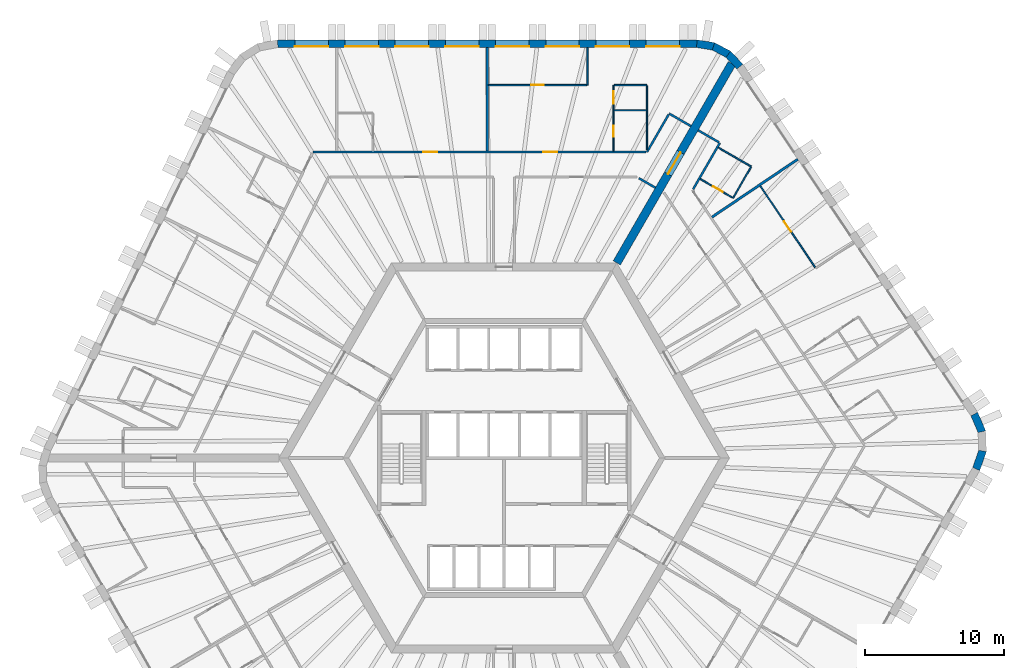
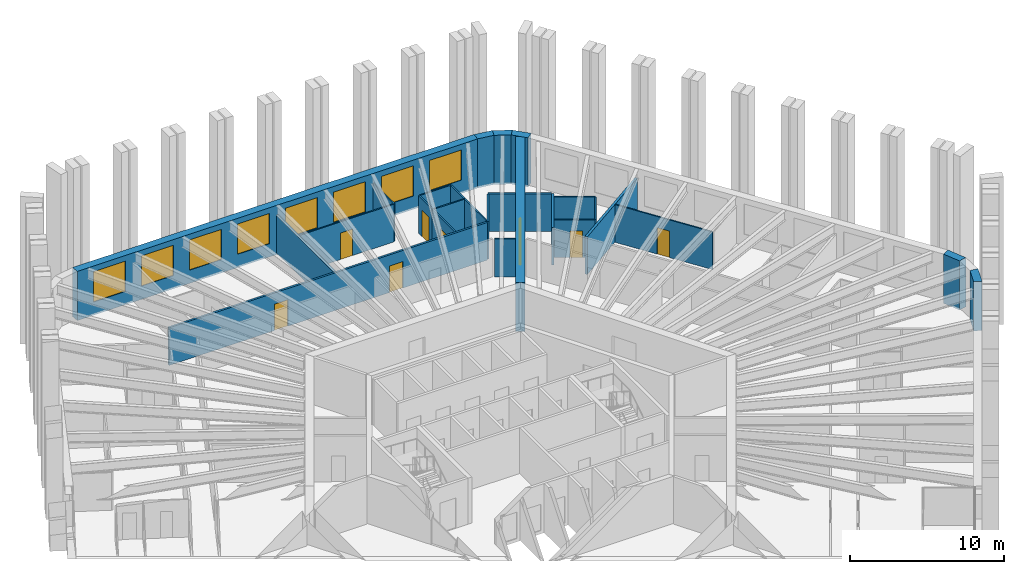
# One storey, part 10 of 13: 27 walls, 8 doors, 8 windows, 16 openings.
"""IFC4 building model written with IfcOpenShell, lengths in metres."""

from ifc_helpers import new_model, si_unit, direction, frame, frame_2d, origin, place, context, subcontext, project, spatial, polyline, rectangle, outline, extrude, material, layer, layer_set, type_object, element, fill, save


model = new_model("IFC4")

# Units and contexts
model_context = context("Model", 3, precision=1e-05, world=origin(), true_north=direction((0.0, 1.0)))
body_context = subcontext(model_context, "Body", "Model", "MODEL_VIEW")
ifc_project = project(units=[si_unit("LENGTHUNIT", "METRE"), si_unit("AREAUNIT", "SQUARE_METRE"), si_unit("VOLUMEUNIT", "CUBIC_METRE"), si_unit("PLANEANGLEUNIT", "RADIAN"), si_unit("MASSUNIT", "GRAM", prefix="KILO")], contexts=[model_context])

# Site, building, storey
site_placement = place(None, origin())
site = spatial("IfcSite", under=ifc_project, at=site_placement, CompositionType="ELEMENT")
building_placement = place(site_placement, origin())
building = spatial("IfcBuilding", under=site, at=building_placement, Name="Tarnside Tower", CompositionType="ELEMENT")
storey_placement = place(building_placement, frame((0.0, 0.0, 68.699951171875)))
storey = spatial("IfcBuildingStorey", under=building, at=storey_placement, Name="L14", CompositionType="ELEMENT", Elevation=68.699951171875)

# Wall, opening, door
ifc_material_1 = material(Name="Gypsum board partition on steel studs", Category="steel")
ifc_layer_1 = layer(ifc_material_1, 0.10009765625)
ifc_layer_set_1 = layer_set([ifc_layer_1], Name="Bathroom wall 100")
wall_type_1 = type_object("IfcWallType", Name="Bathroom wall 100", PredefinedType="PARTITIONING", material=ifc_layer_set_1)
wall_1_placement = place(storey_placement, frame((7.847900390625, 22.02490234375, 0.0), z_axis=(0.0, 0.0, 1.0), x_axis=(0.0, 1.0, 0.0)))
wall_1 = element("IfcWall", 1, at=wall_1_placement, inside=storey, type_object=wall_type_1, Name="Bathroom wall 04076", PredefinedType="PARTITIONING", context=body_context, shape_type="SweptSolid", body=[
    extrude(rectangle(XDim=2.925048828125, YDim=0.10009765625, at=frame_2d((1.46240234375, 0.0))), origin(), (0.0, 0.0, 1.0), 2.98779296875),
])
opening_1_placement = place(wall_1_placement, frame((1.02490234375, 0.0, 0.0)))
opening_1 = element("IfcOpeningElement", 2, at=opening_1_placement, cuts=wall_1, Name="Opening D-B1", PredefinedType="OPENING", context=body_context, shape_type="SweptSolid", body=[
    extrude(rectangle(XDim=0.800048828125, YDim=2.10009765625, at=frame_2d((0.39990234375, 1.050048828125))), frame((0.0, 0.06005859375, 0.0), z_axis=(0.0, -1.0, 0.0), x_axis=(1.0, 0.0, 0.0)), (0.0, 0.0, 1.0), 0.1201171875),
])
ifc_material_2 = material(Name="Timber door leaf", Category="wood")
door_type_1 = type_object("IfcDoorType", Name="Bathroom door 800", OperationType="NOTDEFINED", PredefinedType="DOOR", material=ifc_material_2)
door_1_placement = place(opening_1_placement, origin())
door_1 = element("IfcDoor", 3, at=door_1_placement, inside=storey, type_object=door_type_1, Name="Bathroom door 04002", OperationType="SINGLE_SWING_RIGHT", OverallHeight=2.10009765625, OverallWidth=0.800048828125, PredefinedType="DOOR", context=body_context, shape_type="SweptSolid", body=[
    extrude(rectangle(XDim=0.800048828125, YDim=2.10009765625, at=frame_2d((0.39990234375, 1.050048828125))), frame((0.0, 0.02490234375, 0.0), z_axis=(0.0, -1.0, 0.0), x_axis=(1.0, 0.0, 0.0)), (0.0, 0.0, 1.0), 0.050048828125),
])
fill(opening_1, door_1)

# Walls
wall_2_placement = place(storey_placement, frame((10.248046875, 24.949951171875, 0.0), z_axis=(0.0, 0.0, 1.0), x_axis=(0.0, -1.0, 0.0)))
element("IfcWall", 4, at=wall_2_placement, inside=storey, type_object=wall_type_1, Name="Bathroom wall 04077", PredefinedType="PARTITIONING", context=body_context, shape_type="SweptSolid", body=[
    extrude(rectangle(XDim=2.849853515625, YDim=0.10009765625, at=frame_2d((1.4248046875, 0.0))), origin(), (0.0, 0.0, 1.0), 2.98779296875),
])
wall_3_placement = place(storey_placement, frame((10.197998046875, 24.949951171875, 0.0), z_axis=(0.0, 0.0, 1.0), x_axis=(-1.0, 0.0, 0.0)))
element("IfcWall", 5, at=wall_3_placement, inside=storey, type_object=wall_type_1, Name="Bathroom wall 04084", PredefinedType="PARTITIONING", context=body_context, shape_type="SweptSolid", body=[
    extrude(rectangle(XDim=2.300048828125, YDim=0.10009765625, at=frame_2d((1.14990234375, 0.0))), origin(), (0.0, 0.0, 1.0), 2.98779296875),
])
wall_4_placement = place(storey_placement, frame((15.36865234375, 22.26953125, 0.0), z_axis=(0.0, 0.0, 1.0), x_axis=(0.866034909742, -0.499983534837, 0.0)))
element("IfcWall", 6, at=wall_4_placement, inside=storey, type_object=wall_type_1, Name="Bathroom wall 04151", PredefinedType="PARTITIONING", context=body_context, shape_type="SweptSolid", body=[
    extrude(rectangle(XDim=2.72509765625, YDim=0.10009765625, at=frame_2d((1.362548828125, 0.0))), origin(), (0.0, 0.0, 1.0), 2.98779296875),
])
wall_5_placement = place(storey_placement, frame((17.70361328125, 20.86376953125, 0.0), z_axis=(0.0, 0.0, 1.0), x_axis=(-0.499948979701, -0.866054858364, 0.0)))
element("IfcWall", 7, at=wall_5_placement, inside=storey, type_object=wall_type_1, Name="Bathroom wall 04152", PredefinedType="PARTITIONING", context=body_context, shape_type="SweptSolid", body=[
    extrude(rectangle(XDim=2.550048828125, YDim=0.10009765625, at=frame_2d((1.27490234375, 0.0))), origin(), (0.0, 0.0, 1.0), 2.98779296875),
])

# Wall, opening, door
wall_6_placement = place(storey_placement, frame((16.385498046875, 18.680419921875, 0.0), z_axis=(0.0, 0.0, 1.0), x_axis=(-0.86604424267, 0.499967368674, 0.0)))
wall_6 = element("IfcWall", 8, at=wall_6_placement, inside=storey, type_object=wall_type_1, Name="Bathroom wall 04153", PredefinedType="PARTITIONING", context=body_context, shape_type="SweptSolid", body=[
    extrude(rectangle(XDim=2.675048828125, YDim=0.10009765625, at=frame_2d((1.33740234375, 0.0))), origin(), (0.0, 0.0, 1.0), 2.98779296875),
])
opening_2_placement = place(wall_6_placement, frame((0.81005859375, 0.0, 0.0)))
opening_2 = element("IfcOpeningElement", 9, at=opening_2_placement, cuts=wall_6, Name="Opening D-B1", PredefinedType="OPENING", context=body_context, shape_type="SweptSolid", body=[
    extrude(rectangle(XDim=0.800048828125, YDim=2.10009765625, at=frame_2d((0.39990234375, 1.050048828125))), frame((0.0, 0.06005859375, 0.0), z_axis=(0.0, -1.0, 0.0), x_axis=(1.0, 0.0, 0.0)), (0.0, 0.0, 1.0), 0.1201171875),
])
door_2_placement = place(opening_2_placement, origin())
door_2 = element("IfcDoor", 10, at=door_2_placement, inside=storey, type_object=door_type_1, Name="Bathroom door 04040", OperationType="SINGLE_SWING_RIGHT", OverallHeight=2.10009765625, OverallWidth=0.800048828125, PredefinedType="DOOR", context=body_context, shape_type="SweptSolid", body=[
    extrude(rectangle(XDim=0.800048828125, YDim=2.10009765625, at=frame_2d((0.39990234375, 1.050048828125))), frame((0.0, 0.02490234375, 0.0), z_axis=(0.0, -1.0, 0.0), x_axis=(1.0, 0.0, 0.0)), (0.0, 0.0, 1.0), 0.050048828125),
])
fill(opening_2, door_2)

ifc_material_3 = material(Name="Concrete C80/95", Category="concrete")
ifc_layer_2 = layer(ifc_material_3, 0.60009765625)
ifc_layer_set_2 = layer_set([ifc_layer_2], Name="Core wall Z1 600 C80/95")
wall_type_2 = type_object("IfcWallType", Name="Core wall Z1 600 C80/95", PredefinedType="SHEAR", material=ifc_layer_set_2)
wall_7_placement = place(storey_placement, frame((8.0830078125, 14.0, -0.14990234375), z_axis=(0.0, 0.0, 1.0), x_axis=(0.499997680643, 0.866026742862, 0.0)))
wall_7 = element("IfcWall", 11, at=wall_7_placement, inside=storey, type_object=wall_type_2, Name="L14 spine wall 1", PredefinedType="SHEAR", context=body_context, shape_type="SweptSolid", body=[
    extrude(rectangle(XDim=16.5087890625, YDim=0.60009765625, at=frame_2d((8.25439453125, 0.0))), origin(), (0.0, 0.0, 1.0), 3.89990234375),
])
opening_3_placement = place(wall_7_placement, frame((7.3544921875, 0.0, 0.14990234375)))
opening_3 = element("IfcOpeningElement", 12, at=opening_3_placement, cuts=wall_7, Name="Opening CD-SPN", PredefinedType="OPENING", context=body_context, shape_type="SweptSolid", body=[
    extrude(rectangle(XDim=1.800048828125, YDim=2.39990234375, at=frame_2d((0.89990234375, 1.199951171875))), frame((0.0, 0.31005859375, 0.0), z_axis=(0.0, -1.0, 0.0), x_axis=(1.0, 0.0, 0.0)), (0.0, 0.0, 1.0), 0.6201171875),
])
ifc_material_4 = material(Name="Steel fire door", Category="steel")
door_type_2 = type_object("IfcDoorType", Name="Spine passage double door FD60 1800x2400", OperationType="NOTDEFINED", PredefinedType="DOOR", material=ifc_material_4)
door_3_placement = place(opening_3_placement, origin())
door_3 = element("IfcDoor", 13, at=door_3_placement, inside=storey, type_object=door_type_2, Name="L14 spine passage door 1", OperationType="DOUBLE_DOOR_SINGLE_SWING", OverallHeight=2.39990234375, OverallWidth=1.800048828125, PredefinedType="DOOR", context=body_context, shape_type="SweptSolid", body=[
    extrude(rectangle(XDim=1.800048828125, YDim=2.39990234375, at=frame_2d((0.89990234375, 1.199951171875))), frame((0.0, 0.02490234375, 0.0), z_axis=(0.0, -1.0, 0.0), x_axis=(1.0, 0.0, 0.0)), (0.0, 0.0, 1.0), 0.050048828125),
])
fill(opening_3, door_3)

# Wall, openings, doors
ifc_layer_3 = layer(ifc_material_1, 0.14990234375)
ifc_layer_set_3 = layer_set([ifc_layer_3], Name="Corridor wall 150 EI 60")
wall_type_3 = type_object("IfcWallType", Name="Corridor wall 150 EI 60", PredefinedType="PARTITIONING", material=ifc_layer_set_3)
wall_8_placement = place(storey_placement, frame((10.161376953125, 21.949951171875, 0.0), z_axis=(0.0, 0.0, 1.0), x_axis=(-1.0, 0.0, 0.0)))
wall_8 = element("IfcWall", 14, at=wall_8_placement, inside=storey, type_object=wall_type_3, Name="Corridor wall 04001", PredefinedType="PARTITIONING", context=body_context, shape_type="SweptSolid", body=[
    extrude(rectangle(XDim=23.877197265625, YDim=0.14990234375, at=frame_2d((11.9384765625, 0.0))), origin(), (0.0, 0.0, 1.0), 2.98779296875),
])
opening_4_placement = place(wall_8_placement, frame((6.343017578125, 0.0, 0.0)))
opening_4 = element("IfcOpeningElement", 15, at=opening_4_placement, cuts=wall_8, Name="Opening D-E1", PredefinedType="OPENING", context=body_context, shape_type="SweptSolid", body=[
    extrude(rectangle(XDim=1.0, YDim=2.10009765625, at=frame_2d((0.5, 1.050048828125))), frame((0.0, 0.0849609375, 0.0), z_axis=(0.0, -1.0, 0.0), x_axis=(1.0, 0.0, 0.0)), (0.0, 0.0, 1.0), 0.169921875),
])
opening_5_placement = place(wall_8_placement, frame((14.972412109375, 0.0, 0.0)))
opening_5 = element("IfcOpeningElement", 16, at=opening_5_placement, cuts=wall_8, Name="Opening D-E1", PredefinedType="OPENING", context=body_context, shape_type="SweptSolid", body=[
    extrude(rectangle(XDim=1.0, YDim=2.10009765625, at=frame_2d((0.5, 1.050048828125))), frame((0.0, 0.0849609375, 0.0), z_axis=(0.0, -1.0, 0.0), x_axis=(1.0, 0.0, 0.0)), (0.0, 0.0, 1.0), 0.169921875),
])
door_type_3 = type_object("IfcDoorType", Name="Unit entrance door 1000 FD30S", OperationType="NOTDEFINED", PredefinedType="DOOR", material=ifc_material_2)
door_4_placement = place(opening_4_placement, origin())
door_4 = element("IfcDoor", 17, at=door_4_placement, inside=storey, type_object=door_type_3, Name="Unit door 04001", OperationType="SINGLE_SWING_LEFT", OverallHeight=2.10009765625, OverallWidth=1.0, PredefinedType="DOOR", context=body_context, shape_type="SweptSolid", body=[
    extrude(rectangle(XDim=1.0, YDim=2.10009765625, at=frame_2d((0.5, 1.050048828125))), frame((0.0, 0.02490234375, 0.0), z_axis=(0.0, -1.0, 0.0), x_axis=(1.0, 0.0, 0.0)), (0.0, 0.0, 1.0), 0.050048828125),
])
fill(opening_4, door_4)
door_5_placement = place(opening_5_placement, origin())
door_5 = element("IfcDoor", 18, at=door_5_placement, inside=storey, type_object=door_type_3, Name="Unit door 04005", OperationType="SINGLE_SWING_RIGHT", OverallHeight=2.10009765625, OverallWidth=1.0, PredefinedType="DOOR", context=body_context, shape_type="SweptSolid", body=[
    extrude(rectangle(XDim=1.0, YDim=2.10009765625, at=frame_2d((0.5, 1.050048828125))), frame((0.0, 0.02490234375, 0.0), z_axis=(0.0, -1.0, 0.0), x_axis=(1.0, 0.0, 0.0)), (0.0, 0.0, 1.0), 0.050048828125),
])
fill(opening_5, door_5)

# Walls
wall_9_placement = place(storey_placement, frame((13.400390625, 23.81005859375, 0.0), z_axis=(0.0, 0.0, 1.0), x_axis=(-0.865989075817, 0.500062916607, 0.0)))
element("IfcWall", 19, at=wall_9_placement, inside=storey, type_object=wall_type_3, Name="Corridor wall 04002", PredefinedType="PARTITIONING", context=body_context, shape_type="SweptSolid", body=[
    extrude(rectangle(XDim=1.800048828125, YDim=0.14990234375, at=frame_2d((0.89990234375, 0.0))), origin(), (0.0, 0.0, 1.0), 2.98779296875),
])
wall_10_placement = place(storey_placement, frame((11.803955078125, 24.64501953125, 0.0), z_axis=(0.0, 0.0, 1.0), x_axis=(-0.499978251519, -0.866037959912, 0.0)))
element("IfcWall", 20, at=wall_10_placement, inside=storey, type_object=wall_type_3, Name="Corridor wall 04003", PredefinedType="PARTITIONING", context=body_context, shape_type="SweptSolid", body=[
    extrude(rectangle(XDim=3.112060546875, YDim=0.14990234375, at=frame_2d((1.55615234375, 0.0))), origin(), (0.0, 0.0, 1.0), 2.98779296875),
])
wall_11_placement = place(storey_placement, frame((9.6669921875, 20.074951171875, 0.0), z_axis=(0.0, 0.0, 1.0), x_axis=(0.866000994684, -0.500042275419, 0.0)))
element("IfcWall", 21, at=wall_11_placement, inside=storey, type_object=wall_type_3, Name="Corridor wall 04022", PredefinedType="PARTITIONING", context=body_context, shape_type="SweptSolid", body=[
    extrude(rectangle(XDim=1.36572265625, YDim=0.14990234375, at=frame_2d((0.682861328125, 0.0))), origin(), (0.0, 0.0, 1.0), 2.98779296875),
])
wall_12_placement = place(storey_placement, frame((13.55908203125, 19.284912109375, 0.0), z_axis=(0.0, 0.0, 1.0), x_axis=(0.499975646431, 0.866039463868, 0.0)))
element("IfcWall", 22, at=wall_12_placement, inside=storey, type_object=wall_type_3, Name="Corridor wall 04062", PredefinedType="PARTITIONING", context=body_context, shape_type="SweptSolid", body=[
    extrude(rectangle(XDim=3.839599609375, YDim=0.14990234375, at=frame_2d((1.919921875, 0.0))), origin(), (0.0, 0.0, 1.0), 2.98779296875),
])
wall_13_placement = place(storey_placement, frame((15.413818359375, 22.647705078125, 0.0), z_axis=(0.0, 0.0, 1.0), x_axis=(-0.866074815912, 0.499914405916, 0.0)))
element("IfcWall", 23, at=wall_13_placement, inside=storey, type_object=wall_type_3, Name="Corridor wall 04063", PredefinedType="PARTITIONING", context=body_context, shape_type="SweptSolid", body=[
    extrude(rectangle(XDim=1.724853515625, YDim=0.14990234375, at=frame_2d((0.8623046875, 0.0))), origin(), (0.0, 0.0, 1.0), 2.98779296875),
])
ifc_layer_4 = layer(ifc_material_1, 0.179931640625)
ifc_layer_set_4 = layer_set([ifc_layer_4], Name="Demising wall 180 EI 60")
wall_type_4 = type_object("IfcWallType", Name="Demising wall 180 EI 60", PredefinedType="PARTITIONING", material=ifc_layer_set_4)
for number, where, z_axis, x_axis, name in (
    (24, (-1.2109375, 29.449951171875, 0.0), (0.0, 0.0, 1.0), (0.0, -1.0, 0.0), "Demising wall 04083"),
    (25, (21.066162109375, 21.433349609375, 0.0), (0.0, 0.0, 1.0), (-0.829028170871, -0.559206841788, 0.0), "Demising wall 04148"),
):
    element("IfcWall", number, at=place(storey_placement, frame(where, z_axis=z_axis, x_axis=x_axis)), inside=storey, type_object=wall_type_4, Name=name, PredefinedType="PARTITIONING", context=body_context, shape_type="SweptSolid", body=[
        extrude(rectangle(XDim=7.425048828125, YDim=0.179931640625, at=frame_2d((3.71240234375, 0.0))), origin(), (0.0, 0.0, 1.0), 2.98779296875),
    ])

# Wall, opening, door
ifc_layer_5 = layer(ifc_material_1, 0.10009765625)
ifc_layer_set_5 = layer_set([ifc_layer_5], Name="Partition 100")
wall_type_5 = type_object("IfcWallType", Name="Partition 100", PredefinedType="PARTITIONING", material=ifc_layer_set_5)
wall_14_placement = place(storey_placement, frame((7.847900390625, 25.0, 0.0), z_axis=(0.0, 0.0, 1.0), x_axis=(0.0, 1.0, 0.0)))
wall_14 = element("IfcWall", 26, at=wall_14_placement, inside=storey, type_object=wall_type_5, Name="Partition wall 04078", PredefinedType="PARTITIONING", context=body_context, shape_type="SweptSolid", body=[
    extrude(rectangle(XDim=1.75, YDim=0.10009765625, at=frame_2d((0.875, 0.0))), origin(), (0.0, 0.0, 1.0), 2.98779296875),
])
opening_6_placement = place(wall_14_placement, frame((0.39990234375, 0.0, 0.0)))
opening_6 = element("IfcOpeningElement", 27, at=opening_6_placement, cuts=wall_14, Name="Opening D-I1", PredefinedType="OPENING", context=body_context, shape_type="SweptSolid", body=[
    extrude(rectangle(XDim=0.89990234375, YDim=2.10009765625, at=frame_2d((0.449951171875, 1.050048828125))), frame((0.0, 0.06005859375, 0.0), z_axis=(0.0, -1.0, 0.0), x_axis=(1.0, 0.0, 0.0)), (0.0, 0.0, 1.0), 0.1201171875),
])
door_type_4 = type_object("IfcDoorType", Name="Internal door 900", OperationType="NOTDEFINED", PredefinedType="DOOR", material=ifc_material_2)
door_6_placement = place(opening_6_placement, origin())
door_6 = element("IfcDoor", 28, at=door_6_placement, inside=storey, type_object=door_type_4, Name="Internal door 04003", OperationType="SINGLE_SWING_RIGHT", OverallHeight=2.10009765625, OverallWidth=0.89990234375, PredefinedType="DOOR", context=body_context, shape_type="SweptSolid", body=[
    extrude(rectangle(XDim=0.89990234375, YDim=2.10009765625, at=frame_2d((0.449951171875, 1.050048828125))), frame((0.0, 0.02490234375, 0.0), z_axis=(0.0, -1.0, 0.0), x_axis=(1.0, 0.0, 0.0)), (0.0, 0.0, 1.0), 0.050048828125),
])
fill(opening_6, door_6)

# Walls
wall_15_placement = place(storey_placement, frame((7.89794921875, 26.75, 0.0), z_axis=(0.0, 0.0, 1.0), x_axis=(1.0, 0.0, 0.0)))
element("IfcWall", 29, at=wall_15_placement, inside=storey, type_object=wall_type_5, Name="Partition wall 04079", PredefinedType="PARTITIONING", context=body_context, shape_type="SweptSolid", body=[
    extrude(rectangle(XDim=2.35009765625, YDim=0.10009765625, at=frame_2d((1.175048828125, 0.0))), origin(), (0.0, 0.0, 1.0), 2.98779296875),
])
wall_16_placement = place(storey_placement, frame((10.248046875, 26.699951171875, 0.0), z_axis=(0.0, 0.0, 1.0), x_axis=(0.0, -1.0, 0.0)))
element("IfcWall", 30, at=wall_16_placement, inside=storey, type_object=wall_type_5, Name="Partition wall 04080", PredefinedType="PARTITIONING", context=body_context, shape_type="SweptSolid", body=[
    extrude(rectangle(XDim=1.699951171875, YDim=0.10009765625, at=frame_2d((0.85009765625, 0.0))), origin(), (0.0, 0.0, 1.0), 2.98779296875),
])
wall_17_placement = place(storey_placement, frame((5.989013671875, 29.449951171875, 0.0), z_axis=(0.0, 0.0, 1.0), x_axis=(0.0, -1.0, 0.0)))
element("IfcWall", 31, at=wall_17_placement, inside=storey, type_object=wall_type_5, Name="Partition wall 04081", PredefinedType="PARTITIONING", context=body_context, shape_type="SweptSolid", body=[
    extrude(rectangle(XDim=2.699951171875, YDim=0.10009765625, at=frame_2d((1.35009765625, 0.0))), origin(), (0.0, 0.0, 1.0), 2.98779296875),
])

# Wall, opening, door
wall_18_placement = place(storey_placement, frame((5.93896484375, 26.75, 0.0), z_axis=(0.0, 0.0, 1.0), x_axis=(-1.0, 0.0, 0.0)))
wall_18 = element("IfcWall", 32, at=wall_18_placement, inside=storey, type_object=wall_type_5, Name="Partition wall 04082", PredefinedType="PARTITIONING", context=body_context, shape_type="SweptSolid", body=[
    extrude(rectangle(XDim=7.06005859375, YDim=0.10009765625, at=frame_2d((3.530029296875, 0.0))), origin(), (0.0, 0.0, 1.0), 2.98779296875),
])
opening_7_placement = place(wall_18_placement, frame((3.10009765625, 0.0, 0.0)))
opening_7 = element("IfcOpeningElement", 33, at=opening_7_placement, cuts=wall_18, Name="Opening D-I1", PredefinedType="OPENING", context=body_context, shape_type="SweptSolid", body=[
    extrude(rectangle(XDim=0.89990234375, YDim=2.10009765625, at=frame_2d((0.449951171875, 1.050048828125))), frame((0.0, 0.06005859375, 0.0), z_axis=(0.0, -1.0, 0.0), x_axis=(1.0, 0.0, 0.0)), (0.0, 0.0, 1.0), 0.1201171875),
])
door_7_placement = place(opening_7_placement, origin())
door_7 = element("IfcDoor", 34, at=door_7_placement, inside=storey, type_object=door_type_4, Name="Internal door 04004", OperationType="SINGLE_SWING_LEFT", OverallHeight=2.10009765625, OverallWidth=0.89990234375, PredefinedType="DOOR", context=body_context, shape_type="SweptSolid", body=[
    extrude(rectangle(XDim=0.89990234375, YDim=2.10009765625, at=frame_2d((0.449951171875, 1.050048828125))), frame((0.0, 0.02490234375, 0.0), z_axis=(0.0, -1.0, 0.0), x_axis=(1.0, 0.0, 0.0)), (0.0, 0.0, 1.0), 0.050048828125),
])
fill(opening_7, door_7)

wall_19_placement = place(storey_placement, frame((22.32861328125, 13.660400390625, 0.0), z_axis=(0.0, 0.0, 1.0), x_axis=(-0.559216845309, 0.829021423078, 0.0)))
wall_19 = element("IfcWall", 35, at=wall_19_placement, inside=storey, type_object=wall_type_5, Name="Partition wall 04147", PredefinedType="PARTITIONING", context=body_context, shape_type="SweptSolid", body=[
    extrude(rectangle(XDim=7.059814453125, YDim=0.10009765625, at=frame_2d((3.52978515625, 0.0))), origin(), (0.0, 0.0, 1.0), 2.98779296875),
])
opening_8_placement = place(wall_19_placement, frame((3.10009765625, 0.0, 0.0)))
opening_8 = element("IfcOpeningElement", 36, at=opening_8_placement, cuts=wall_19, Name="Opening D-I1", PredefinedType="OPENING", context=body_context, shape_type="SweptSolid", body=[
    extrude(rectangle(XDim=0.89990234375, YDim=2.10009765625, at=frame_2d((0.449951171875, 1.050048828125))), frame((0.0, 0.06005859375, 0.0), z_axis=(0.0, -1.0, 0.0), x_axis=(1.0, 0.0, 0.0)), (0.0, 0.0, 1.0), 0.1201171875),
])
door_8_placement = place(opening_8_placement, origin())
door_8 = element("IfcDoor", 37, at=door_8_placement, inside=storey, type_object=door_type_4, Name="Internal door 04038", OperationType="SINGLE_SWING_RIGHT", OverallHeight=2.10009765625, OverallWidth=0.89990234375, PredefinedType="DOOR", context=body_context, shape_type="SweptSolid", body=[
    extrude(rectangle(XDim=0.89990234375, YDim=2.10009765625, at=frame_2d((0.449951171875, 1.050048828125))), frame((0.0, 0.02490234375, 0.0), z_axis=(0.0, -1.0, 0.0), x_axis=(1.0, 0.0, 0.0)), (0.0, 0.0, 1.0), 0.050048828125),
])
fill(opening_8, door_8)

# Wall, openings, windows
ifc_material_5 = material(Name="Facing brick", Category="masonry")
ifc_layer_6 = layer(ifc_material_5, 0.10205078125)
ifc_material_6 = material(Name="Concrete C60/75 precast", Category="concrete")
ifc_layer_7 = layer(ifc_material_6, 0.347900390625)
ifc_material_7 = material(Name="Mineral wool insulation")
ifc_layer_8 = layer(ifc_material_7, 0.10009765625)
ifc_layer_set_6 = layer_set([ifc_layer_6, ifc_layer_7, ifc_layer_8], Name="Tube wall 550 brick faced")
wall_type_6 = type_object("IfcWallType", Name="Tube wall 550 brick faced", PredefinedType="SOLIDWALL", material=ifc_layer_set_6)
wall_20_placement = place(storey_placement, frame((13.824462890625, 29.72509765625, -0.14990234375), z_axis=(0.0, 0.0, 1.0), x_axis=(-1.0, 0.0, 0.0)))
wall_20 = element("IfcWall", 38, at=wall_20_placement, inside=storey, type_object=wall_type_6, Name="Tube wall L14 F1 flush 00", PredefinedType="SOLIDWALL", context=body_context, shape_type="SweptSolid", body=[
    extrude(outline(polyline([(-0.0224609375, -0.27490234375), (30.0966796875, -0.27490234375), (30.04541015625, 0.27490234375), (0.0224609375, 0.27490234375), (-0.0224609375, -0.27490234375)])), origin(), (0.0, 0.0, 1.0), 3.89990234375),
])
opening_9_placement = place(wall_20_placement, frame((1.235595703125, 0.0, 1.050048828125)))
opening_9 = element("IfcOpeningElement", 39, at=opening_9_placement, cuts=wall_20, Name="Opening WH", PredefinedType="OPENING", context=body_context, shape_type="SweptSolid", body=[
    extrude(rectangle(XDim=2.39990234375, YDim=2.39990234375, at=frame_2d((1.199951171875, 1.199951171875))), frame((0.0, 0.28515625, 0.0), z_axis=(0.0, -1.0, 0.0), x_axis=(1.0, 0.0, 0.0)), (0.0, 0.0, 1.0), 0.570068359375),
])
opening_10_placement = place(wall_20_placement, frame((4.83544921875, 0.0, 1.050048828125)))
opening_10 = element("IfcOpeningElement", 40, at=opening_10_placement, cuts=wall_20, Name="Opening WH", PredefinedType="OPENING", context=body_context, shape_type="SweptSolid", body=[
    extrude(rectangle(XDim=2.39990234375, YDim=2.39990234375, at=frame_2d((1.199951171875, 1.199951171875))), frame((0.0, 0.28515625, 0.0), z_axis=(0.0, -1.0, 0.0), x_axis=(1.0, 0.0, 0.0)), (0.0, 0.0, 1.0), 0.570068359375),
])
opening_11_placement = place(wall_20_placement, frame((8.435546875, 0.0, 1.050048828125)))
opening_11 = element("IfcOpeningElement", 41, at=opening_11_placement, cuts=wall_20, Name="Opening WH", PredefinedType="OPENING", context=body_context, shape_type="SweptSolid", body=[
    extrude(rectangle(XDim=2.39990234375, YDim=2.39990234375, at=frame_2d((1.199951171875, 1.199951171875))), frame((0.0, 0.28515625, 0.0), z_axis=(0.0, -1.0, 0.0), x_axis=(1.0, 0.0, 0.0)), (0.0, 0.0, 1.0), 0.570068359375),
])
opening_12_placement = place(wall_20_placement, frame((12.035400390625, 0.0, 1.050048828125)))
opening_12 = element("IfcOpeningElement", 42, at=opening_12_placement, cuts=wall_20, Name="Opening WH", PredefinedType="OPENING", context=body_context, shape_type="SweptSolid", body=[
    extrude(rectangle(XDim=2.39990234375, YDim=2.39990234375, at=frame_2d((1.199951171875, 1.199951171875))), frame((0.0, 0.28515625, 0.0), z_axis=(0.0, -1.0, 0.0), x_axis=(1.0, 0.0, 0.0)), (0.0, 0.0, 1.0), 0.570068359375),
])
opening_13_placement = place(wall_20_placement, frame((15.635498046875, 0.0, 1.050048828125)))
opening_13 = element("IfcOpeningElement", 43, at=opening_13_placement, cuts=wall_20, Name="Opening WH", PredefinedType="OPENING", context=body_context, shape_type="SweptSolid", body=[
    extrude(rectangle(XDim=2.39990234375, YDim=2.39990234375, at=frame_2d((1.199951171875, 1.199951171875))), frame((0.0, 0.28515625, 0.0), z_axis=(0.0, -1.0, 0.0), x_axis=(1.0, 0.0, 0.0)), (0.0, 0.0, 1.0), 0.570068359375),
])
opening_14_placement = place(wall_20_placement, frame((19.235595703125, 0.0, 1.050048828125)))
opening_14 = element("IfcOpeningElement", 44, at=opening_14_placement, cuts=wall_20, Name="Opening WH", PredefinedType="OPENING", context=body_context, shape_type="SweptSolid", body=[
    extrude(rectangle(XDim=2.39990234375, YDim=2.39990234375, at=frame_2d((1.199951171875, 1.199951171875))), frame((0.0, 0.28515625, 0.0), z_axis=(0.0, -1.0, 0.0), x_axis=(1.0, 0.0, 0.0)), (0.0, 0.0, 1.0), 0.570068359375),
])
opening_15_placement = place(wall_20_placement, frame((22.83544921875, 0.0, 1.050048828125)))
opening_15 = element("IfcOpeningElement", 45, at=opening_15_placement, cuts=wall_20, Name="Opening WH", PredefinedType="OPENING", context=body_context, shape_type="SweptSolid", body=[
    extrude(rectangle(XDim=2.39990234375, YDim=2.39990234375, at=frame_2d((1.199951171875, 1.199951171875))), frame((0.0, 0.28515625, 0.0), z_axis=(0.0, -1.0, 0.0), x_axis=(1.0, 0.0, 0.0)), (0.0, 0.0, 1.0), 0.570068359375),
])
opening_16_placement = place(wall_20_placement, frame((26.435546875, 0.0, 1.050048828125)))
opening_16 = element("IfcOpeningElement", 46, at=opening_16_placement, cuts=wall_20, Name="Opening WH", PredefinedType="OPENING", context=body_context, shape_type="SweptSolid", body=[
    extrude(rectangle(XDim=2.39990234375, YDim=2.39990234375, at=frame_2d((1.199951171875, 1.199951171875))), frame((0.0, 0.28515625, 0.0), z_axis=(0.0, -1.0, 0.0), x_axis=(1.0, 0.0, 0.0)), (0.0, 0.0, 1.0), 0.570068359375),
])
ifc_material_8 = material(Name="Aluminium-framed double glazing", Category="aluminium")
window_type = type_object("IfcWindowType", Name="Hotel window 2400 x 2400", PartitioningType="DOUBLE_PANEL_VERTICAL", PredefinedType="WINDOW", material=ifc_material_8)
window_1_placement = place(opening_9_placement, frame((0.0, 0.205078125, 0.0)))
window_1 = element("IfcWindow", 47, at=window_1_placement, inside=storey, type_object=window_type, Name="E.WN.L14.F1.00", OverallHeight=2.39990234375, OverallWidth=2.39990234375, PartitioningType="DOUBLE_PANEL_VERTICAL", PredefinedType="WINDOW", context=body_context, shape_type="SweptSolid", body=[
    extrude(rectangle(XDim=2.39990234375, YDim=2.39990234375, at=frame_2d((1.199951171875, 1.199951171875))), frame((0.0, 0.030029296875, 0.0), z_axis=(0.0, -1.0, 0.0), x_axis=(1.0, 0.0, 0.0)), (0.0, 0.0, 1.0), 0.06005859375),
])
fill(opening_9, window_1)
window_2_placement = place(opening_10_placement, frame((0.0, 0.205078125, 0.0)))
window_2 = element("IfcWindow", 48, at=window_2_placement, inside=storey, type_object=window_type, Name="E.WN.L14.F1.01", OverallHeight=2.39990234375, OverallWidth=2.39990234375, PartitioningType="DOUBLE_PANEL_VERTICAL", PredefinedType="WINDOW", context=body_context, shape_type="SweptSolid", body=[
    extrude(rectangle(XDim=2.39990234375, YDim=2.39990234375, at=frame_2d((1.199951171875, 1.199951171875))), frame((0.0, 0.030029296875, 0.0), z_axis=(0.0, -1.0, 0.0), x_axis=(1.0, 0.0, 0.0)), (0.0, 0.0, 1.0), 0.06005859375),
])
fill(opening_10, window_2)
window_3_placement = place(opening_11_placement, frame((0.0, 0.205078125, 0.0)))
window_3 = element("IfcWindow", 49, at=window_3_placement, inside=storey, type_object=window_type, Name="E.WN.L14.F1.02", OverallHeight=2.39990234375, OverallWidth=2.39990234375, PartitioningType="DOUBLE_PANEL_VERTICAL", PredefinedType="WINDOW", context=body_context, shape_type="SweptSolid", body=[
    extrude(rectangle(XDim=2.39990234375, YDim=2.39990234375, at=frame_2d((1.199951171875, 1.199951171875))), frame((0.0, 0.030029296875, 0.0), z_axis=(0.0, -1.0, 0.0), x_axis=(1.0, 0.0, 0.0)), (0.0, 0.0, 1.0), 0.06005859375),
])
fill(opening_11, window_3)
window_4_placement = place(opening_12_placement, frame((0.0, 0.205078125, 0.0)))
window_4 = element("IfcWindow", 50, at=window_4_placement, inside=storey, type_object=window_type, Name="E.WN.L14.F1.03", OverallHeight=2.39990234375, OverallWidth=2.39990234375, PartitioningType="DOUBLE_PANEL_VERTICAL", PredefinedType="WINDOW", context=body_context, shape_type="SweptSolid", body=[
    extrude(rectangle(XDim=2.39990234375, YDim=2.39990234375, at=frame_2d((1.199951171875, 1.199951171875))), frame((0.0, 0.030029296875, 0.0), z_axis=(0.0, -1.0, 0.0), x_axis=(1.0, 0.0, 0.0)), (0.0, 0.0, 1.0), 0.06005859375),
])
fill(opening_12, window_4)
window_5_placement = place(opening_13_placement, frame((0.0, 0.205078125, 0.0)))
window_5 = element("IfcWindow", 51, at=window_5_placement, inside=storey, type_object=window_type, Name="E.WN.L14.F1.04", OverallHeight=2.39990234375, OverallWidth=2.39990234375, PartitioningType="DOUBLE_PANEL_VERTICAL", PredefinedType="WINDOW", context=body_context, shape_type="SweptSolid", body=[
    extrude(rectangle(XDim=2.39990234375, YDim=2.39990234375, at=frame_2d((1.199951171875, 1.199951171875))), frame((0.0, 0.030029296875, 0.0), z_axis=(0.0, -1.0, 0.0), x_axis=(1.0, 0.0, 0.0)), (0.0, 0.0, 1.0), 0.06005859375),
])
fill(opening_13, window_5)
window_6_placement = place(opening_14_placement, frame((0.0, 0.205078125, 0.0)))
window_6 = element("IfcWindow", 52, at=window_6_placement, inside=storey, type_object=window_type, Name="E.WN.L14.F1.05", OverallHeight=2.39990234375, OverallWidth=2.39990234375, PartitioningType="DOUBLE_PANEL_VERTICAL", PredefinedType="WINDOW", context=body_context, shape_type="SweptSolid", body=[
    extrude(rectangle(XDim=2.39990234375, YDim=2.39990234375, at=frame_2d((1.199951171875, 1.199951171875))), frame((0.0, 0.030029296875, 0.0), z_axis=(0.0, -1.0, 0.0), x_axis=(1.0, 0.0, 0.0)), (0.0, 0.0, 1.0), 0.06005859375),
])
fill(opening_14, window_6)
window_7_placement = place(opening_15_placement, frame((0.0, 0.205078125, 0.0)))
window_7 = element("IfcWindow", 53, at=window_7_placement, inside=storey, type_object=window_type, Name="E.WN.L14.F1.06", OverallHeight=2.39990234375, OverallWidth=2.39990234375, PartitioningType="DOUBLE_PANEL_VERTICAL", PredefinedType="WINDOW", context=body_context, shape_type="SweptSolid", body=[
    extrude(rectangle(XDim=2.39990234375, YDim=2.39990234375, at=frame_2d((1.199951171875, 1.199951171875))), frame((0.0, 0.030029296875, 0.0), z_axis=(0.0, -1.0, 0.0), x_axis=(1.0, 0.0, 0.0)), (0.0, 0.0, 1.0), 0.06005859375),
])
fill(opening_15, window_7)
window_8_placement = place(opening_16_placement, frame((0.0, 0.205078125, 0.0)))
window_8 = element("IfcWindow", 54, at=window_8_placement, inside=storey, type_object=window_type, Name="E.WN.L14.F1.07", OverallHeight=2.39990234375, OverallWidth=2.39990234375, PartitioningType="DOUBLE_PANEL_VERTICAL", PredefinedType="WINDOW", context=body_context, shape_type="SweptSolid", body=[
    extrude(rectangle(XDim=2.39990234375, YDim=2.39990234375, at=frame_2d((1.199951171875, 1.199951171875))), frame((0.0, 0.030029296875, 0.0), z_axis=(0.0, -1.0, 0.0), x_axis=(1.0, 0.0, 0.0)), (0.0, 0.0, 1.0), 0.06005859375),
])
fill(opening_16, window_8)

# Walls
wall_21_placement = place(storey_placement, frame((33.865966796875, -0.79248046875, -0.14990234375), z_axis=(0.0, 0.0, 1.0), x_axis=(0.33111537203, 0.943590276765, 0.0)))
element("IfcWall", 55, at=wall_21_placement, inside=storey, type_object=wall_type_6, Name="Tube wall L14 F5 chord 17", PredefinedType="SOLIDWALL", context=body_context, shape_type="SweptSolid", body=[
    extrude(outline(polyline([(-0.025634765625, -0.27490234375), (1.4306640625, -0.27490234375), (1.3271484375, 0.27490234375), (0.025634765625, 0.27490234375), (-0.025634765625, -0.27490234375)])), origin(), (0.0, 0.0, 1.0), 3.89990234375),
])
wall_22_placement = place(storey_placement, frame((34.2744140625, 1.88671875, -0.14990234375), z_axis=(0.0, 0.0, 1.0), x_axis=(-0.396161342798, 0.918180913803, 0.0)))
element("IfcWall", 56, at=wall_22_placement, inside=storey, type_object=wall_type_6, Name="Tube wall L14 F5 chord 19", PredefinedType="SOLIDWALL", context=body_context, shape_type="SweptSolid", body=[
    extrude(outline(polyline([(-0.0517578125, -0.27490234375), (1.40478515625, -0.27490234375), (1.353515625, 0.27490234375), (0.0517578125, 0.27490234375), (-0.0517578125, -0.27490234375)])), origin(), (0.0, 0.0, 1.0), 3.89990234375),
])
wall_23_placement = place(storey_placement, frame((16.91259765625, 28.0830078125, -0.14990234375), z_axis=(0.0, 0.0, 1.0), x_axis=(-0.686196220404, 0.727416488061, 0.0)))
element("IfcWall", 57, at=wall_23_placement, inside=storey, type_object=wall_type_6, Name="Tube wall L14 F6 chord 21", PredefinedType="SOLIDWALL", context=body_context, shape_type="SweptSolid", body=[
    extrude(outline(polyline([(-0.0224609375, -0.27490234375), (1.25341796875, -0.27490234375), (1.1630859375, 0.27490234375), (0.0224609375, 0.27490234375), (-0.0224609375, -0.27490234375)])), origin(), (0.0, 0.0, 1.0), 3.89990234375),
])
wall_24_placement = place(storey_placement, frame((16.08349609375, 28.9619140625, -0.14990234375), z_axis=(0.0, 0.0, 1.0), x_axis=(-0.882995347911, 0.469381737574, 0.0)))
element("IfcWall", 58, at=wall_24_placement, inside=storey, type_object=wall_type_6, Name="Tube wall L14 F6 chord 22", PredefinedType="SOLIDWALL", context=body_context, shape_type="SweptSolid", body=[
    extrude(outline(polyline([(-0.045166015625, -0.27490234375), (1.25341796875, -0.27490234375), (1.1630859375, 0.27490234375), (0.045166015625, 0.27490234375), (-0.045166015625, -0.27490234375)])), origin(), (0.0, 0.0, 1.0), 3.89990234375),
])
wall_25_placement = place(storey_placement, frame((15.0166015625, 29.529052734375, -0.14990234375), z_axis=(0.0, 0.0, 1.0), x_axis=(-0.986746625868, 0.162268593195, 0.0)))
element("IfcWall", 59, at=wall_25_placement, inside=storey, type_object=wall_type_6, Name="Tube wall L14 F6 chord 23", PredefinedType="SOLIDWALL", context=body_context, shape_type="SweptSolid", body=[
    extrude(outline(polyline([(-0.045166015625, -0.27490234375), (1.230712890625, -0.27490234375), (1.185791015625, 0.27490234375), (0.045166015625, 0.27490234375), (-0.045166015625, -0.27490234375)])), origin(), (0.0, 0.0, 1.0), 3.89990234375),
])

save(model, "model.ifc")
